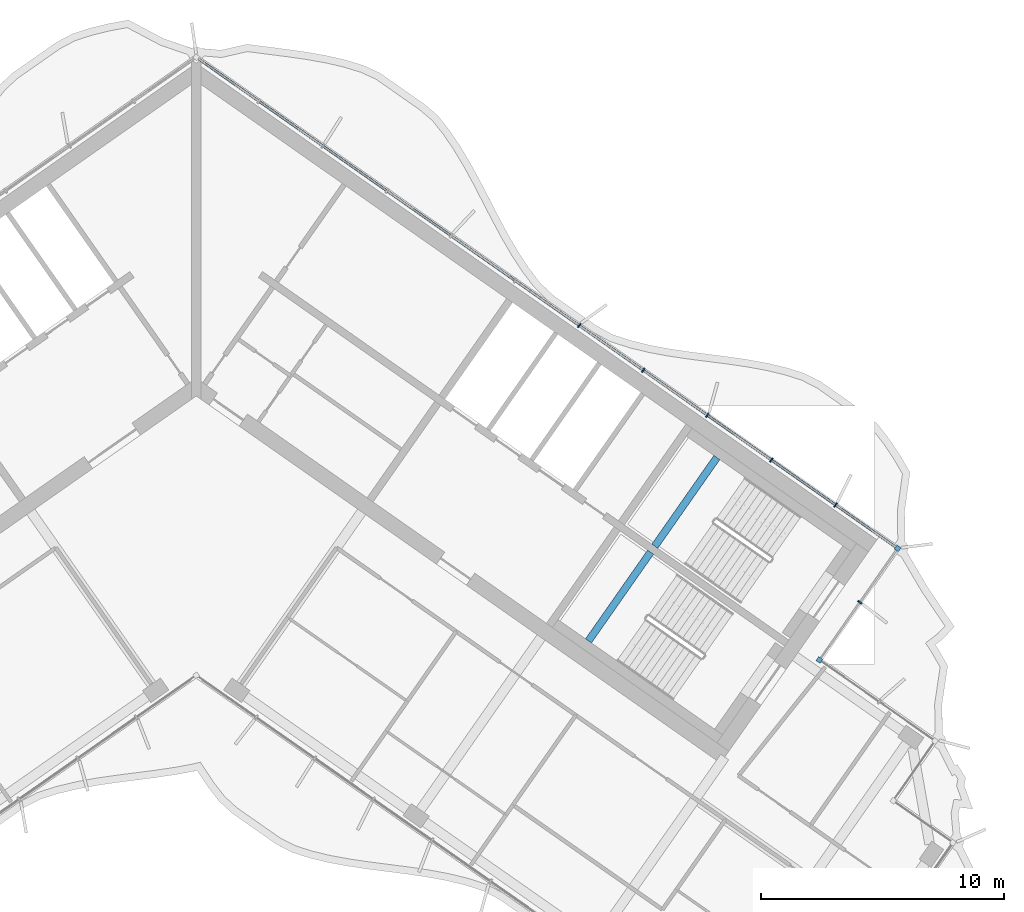
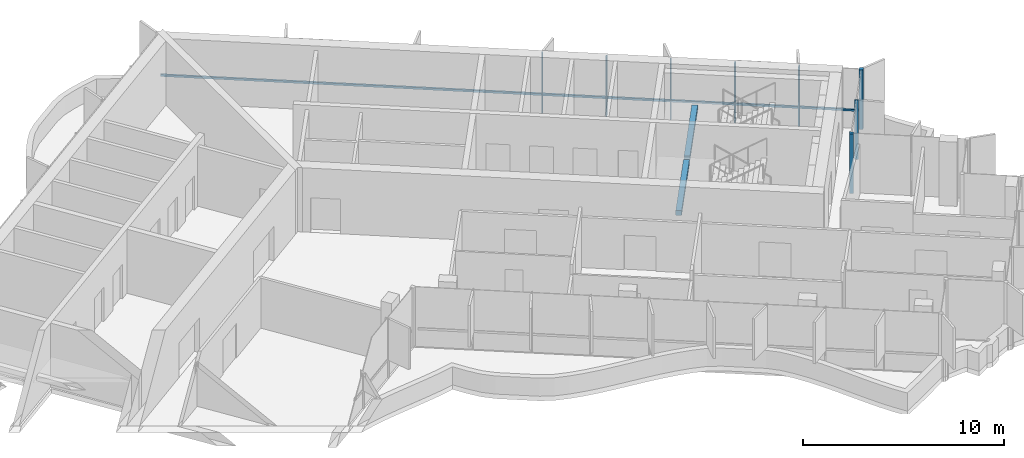
# One storey, part 5 of 18: 9 members, 2 beams, 1 element without a shape of its own.
"""IFC4 building model written with IfcOpenShell, lengths in metres."""

import ifcopenshell
import ifcopenshell.guid

model = None  # the IFC model being written
_history = None  # IfcOwnerHistory: only IFC2X3 demands one
_inside = {}  # id of a spatial element -> (the spatial element, [elements in it])
_under = {}  # id of a project, library or spatial element -> (it, [spatial elements below it])
_declared = {}  # id of a project -> (the project, [libraries it declares])
_typed = {}  # id of a type object -> (the type object, [elements of that type])
_made_of = {}  # id of a material, layer set ... -> (it, [elements and type objects made of it])


def new_model(schema):
    """Start an empty IFC model of exactly this schema.

    Asked for "IFC4X3", IfcOpenShell would pick the latest addendum, in which some entities
    have other attributes; the version numbers below select the first issue.
    IFC2X3 requires an IfcOwnerHistory on every rooted entity: one is made here for all.
    """
    global model, _history
    if schema == "IFC4X3":
        model = ifcopenshell.file(schema_version=(4, 3, 0, 0))
    else:
        model = ifcopenshell.file(schema=schema)
    _inside.clear()
    _under.clear()
    _declared.clear()
    _typed.clear()
    _made_of.clear()
    _history = None
    if model.schema == "IFC2X3":
        org = make("IfcOrganization", Name="unknown")
        user = make(
            "IfcPersonAndOrganization",
            ThePerson=make("IfcPerson", FamilyName="unknown"),
            TheOrganization=org,
        )
        app = make(
            "IfcApplication",
            ApplicationDeveloper=org,
            Version="unknown",
            ApplicationFullName="unknown",
            ApplicationIdentifier="unknown",
        )
        _history = make(
            "IfcOwnerHistory",
            OwningUser=user,
            OwningApplication=app,
            ChangeAction="ADDED",
            CreationDate=0,
        )
    return model


def make(cls, **values):
    """One entity of the class cls with the attributes given. An attribute that is None is left unset."""
    return model.create_entity(
        cls, **{name: value for name, value in values.items() if value is not None}
    )


def rooted(cls, **values):
    """An entity with a GlobalId (a new one), such as an element, a storey or a relation."""
    return make(cls, GlobalId=ifcopenshell.guid.new(), OwnerHistory=_history, **values)


def si_unit(unit_type, name, prefix=None):
    """IfcSIUnit, for example si_unit("LENGTHUNIT", "METRE", prefix="MILLI")."""
    return make("IfcSIUnit", UnitType=unit_type, Prefix=prefix, Name=name)


def assignment(units):
    """IfcUnitAssignment: the units of a project."""
    return None if units is None else make("IfcUnitAssignment", Units=units)


def point(xyz):
    """IfcCartesianPoint."""
    return None if xyz is None else make("IfcCartesianPoint", Coordinates=xyz)


def direction(xyz):
    """IfcDirection."""
    return None if xyz is None else make("IfcDirection", DirectionRatios=xyz)


def frame(location, z_axis=None, x_axis=None):
    """IfcAxis2Placement3D, a coordinate frame: its origin and axes. An axis left out is left unset."""
    return make(
        "IfcAxis2Placement3D",
        Location=point(location),
        Axis=direction(z_axis),
        RefDirection=direction(x_axis),
    )


def frame_2d(location, x_axis=None):
    """IfcAxis2Placement2D, a coordinate frame in the plane: its origin and x axis."""
    return make(
        "IfcAxis2Placement2D", Location=point(location), RefDirection=direction(x_axis)
    )


def origin():
    """The frame at (0, 0, 0) with its axes left unset."""
    return frame((0.0, 0.0, 0.0))


def origin_2d():
    """The frame at (0, 0) in the plane with its x axis left unset."""
    return frame_2d((0.0, 0.0))


def place(relative_to, where):
    """IfcLocalPlacement: puts the frame where relative to a parent placement (None: the world)."""
    return make(
        "IfcLocalPlacement", PlacementRelTo=relative_to, RelativePlacement=where
    )


def context(
    kind, dimensions, precision=None, world=None, true_north=None, identifier=None
):
    """IfcGeometricRepresentationContext, for example the 3D "Model" context."""
    return make(
        "IfcGeometricRepresentationContext",
        ContextIdentifier=identifier,
        ContextType=kind,
        CoordinateSpaceDimension=dimensions,
        Precision=precision,
        WorldCoordinateSystem=world,
        TrueNorth=true_north,
    )


def subcontext(parent, identifier, kind, view, scale=None):
    """IfcGeometricRepresentationSubContext, for example "Body" below "Model"."""
    return make(
        "IfcGeometricRepresentationSubContext",
        ContextIdentifier=identifier,
        ContextType=kind,
        ParentContext=parent,
        TargetScale=scale,
        TargetView=view,
    )


def project(units=None, contexts=None):
    """IfcProject with its units and contexts."""
    return rooted(
        "IfcProject",
        Name="project",
        RepresentationContexts=contexts,
        UnitsInContext=assignment(units),
    )


def spatial(cls, under=None, at=None, **own):
    """A site, building, storey or space (cls), placed at a placement, below another one or the project."""
    s = rooted(cls, ObjectPlacement=at, **own)
    if under is not None:
        _under.setdefault(under.id(), (under, []))[1].append(s)
    return s


def profile(cls, at=None, kind="AREA", **sizes):
    """A parametric profile (cls). Its sizes go by their IFC names, for example OverallWidth=200.0."""
    return make(cls, ProfileType=kind, Position=at, **sizes)


def rectangle(**sizes):
    """IfcRectangleProfileDef."""
    return profile("IfcRectangleProfileDef", **sizes)


def extrude(swept, where, along, depth):
    """IfcExtrudedAreaSolid: the profile swept, set in the frame where, extruded along a direction by depth."""
    return make(
        "IfcExtrudedAreaSolid",
        SweptArea=swept,
        Position=where,
        ExtrudedDirection=direction(along),
        Depth=depth,
    )


def shape(context_of_items, identifier, shape_type, items):
    """IfcShapeRepresentation: the items that make up one representation, for example the "Body"."""
    return make(
        "IfcShapeRepresentation",
        ContextOfItems=context_of_items,
        RepresentationIdentifier=identifier,
        RepresentationType=shape_type,
        Items=items,
    )


def material(Name=None, Category=None):
    """IfcMaterial."""
    return make("IfcMaterial", Name=Name, Category=Category)


def material_profile(
    of_material, cross_section, Name=None, Category=None, Priority=None
):
    """IfcMaterialProfile: a cross section and its material."""
    return make(
        "IfcMaterialProfile",
        Name=Name,
        Material=of_material,
        Profile=cross_section,
        Priority=Priority,
        Category=Category,
    )


def profile_set(profiles, Name=None, composite=None):
    """IfcMaterialProfileSet."""
    return make(
        "IfcMaterialProfileSet",
        Name=Name,
        MaterialProfiles=profiles,
        CompositeProfile=composite,
    )


def made_of(thing, what):
    """Note that an element or type object is made of a material, layer set ...; save() writes the relation."""
    if what is not None:
        _made_of.setdefault(what.id(), (what, []))[1].append(thing)
    return thing


def type_object(cls, material=None, **own):
    """A type object (cls), such as IfcWallType, which elements share."""
    return made_of(rooted(cls, **own), material)


def element(
    cls,
    number,
    at=None,
    inside=None,
    cuts=None,
    type_object=None,
    material=None,
    context=None,
    identifier="Body",
    shape_type=None,
    held_by="IfcProductDefinitionShape",
    body=None,
    shapes=None,
    **own,
):
    """One element of the class cls, such as IfcWall. Its Tag is "e" and its number.

    at: its placement. inside: the storey or other place that contains it. cuts: it is an
    opening in that element (IfcRelVoidsElement). A single representation is given by context,
    identifier, shape_type and body (its items); several are given by shapes. held_by: the class
    of the entity that holds the representations. save() writes the other relations.
    """
    e = rooted(cls, Tag="e%d" % number, ObjectPlacement=at, **own)
    if body is not None:
        shapes = [shape(context, identifier, shape_type, body)]
    if shapes is not None:
        e.Representation = make(held_by, Representations=shapes)
    if inside is not None:
        _inside.setdefault(inside.id(), (inside, []))[1].append(e)
    if cuts is not None:
        rooted(
            "IfcRelVoidsElement", RelatingBuildingElement=cuts, RelatedOpeningElement=e
        )
    if type_object is not None:
        _typed.setdefault(type_object.id(), (type_object, []))[1].append(e)
    return made_of(e, material)


def aggregate(whole, parts):
    """IfcRelAggregates: a whole, such as a stair, and the parts it consists of."""
    return rooted("IfcRelAggregates", RelatingObject=whole, RelatedObjects=parts)


def save(model, path):
    """Write the relations noted so far, then the file.

    IfcRelAggregates (storeys below a building ...), IfcRelContainedInSpatialStructure (elements
    in a storey), IfcRelDefinesByType, IfcRelAssociatesMaterial and IfcRelDeclares: one each for
    every whole, place, type object, material and project.
    """
    for whole, parts in _under.values():
        aggregate(whole, parts)
    for where, things in _inside.values():
        rooted(
            "IfcRelContainedInSpatialStructure",
            RelatedElements=things,
            RelatingStructure=where,
        )
    for kind, things in _typed.values():
        rooted("IfcRelDefinesByType", RelatedObjects=things, RelatingType=kind)
    for what, things in _made_of.values():
        rooted("IfcRelAssociatesMaterial", RelatedObjects=things, RelatingMaterial=what)
    for by, libraries in _declared.values():
        rooted("IfcRelDeclares", RelatingContext=by, RelatedDefinitions=libraries)
    model.write(path)


model = new_model("IFC4")

# Units and contexts
model_context = context("Model", 3, precision=1e-05, world=origin(), true_north=direction((0.0, 1.0)))
body_context = subcontext(model_context, "Body", "Model", "MODEL_VIEW")
ifc_project = project(units=[si_unit("LENGTHUNIT", "METRE"), si_unit("AREAUNIT", "SQUARE_METRE"), si_unit("VOLUMEUNIT", "CUBIC_METRE"), si_unit("PLANEANGLEUNIT", "RADIAN"), si_unit("MASSUNIT", "GRAM", prefix="KILO")], contexts=[model_context])

# Site, building, storey
site_placement = place(None, origin())
site = spatial("IfcSite", under=ifc_project, at=site_placement, CompositionType="ELEMENT")
building_placement = place(site_placement, origin())
building = spatial("IfcBuilding", under=site, at=building_placement, Name="Tel Ilan Convention Tower", CompositionType="ELEMENT")
storey_placement = place(building_placement, frame((0.0, 0.0, 256.60009765625)))
storey = spatial("IfcBuildingStorey", under=building, at=storey_placement, Name="L60", CompositionType="ELEMENT", Elevation=256.60009765625)

# Curtain wall, members
ifc_material_1 = material(Name="Aluminium, bronze anodised", Category="aluminium")
curtain_wall_type = type_object("IfcCurtainWallType", Name="CW2 STICK CURTAIN WALL, SPANDREL PANELS", PredefinedType="NOTDEFINED", material=ifc_material_1)
curtain_wall_placement = place(storey_placement, origin())
curtain_wall = element("IfcCurtainWall", 1, at=curtain_wall_placement, inside=storey, type_object=curtain_wall_type, Name="Curtain wall CW2-46.01", PredefinedType="NOTDEFINED")
ifc_material_2 = material(Name="Aluminium, bronze anodised", Category="aluminium")
ifc_material_profile_1 = material_profile(ifc_material_2, rectangle(XDim=0.199951171875, YDim=0.199951171875, at=origin_2d()), Name="CW CORNER MULLION 200x200")
ifc_profile_set_1 = profile_set([ifc_material_profile_1], Name="Aluminium, bronze anodised")
member_type_1 = type_object("IfcMemberType", Name="CW CORNER MULLION 200x200", PredefinedType="MULLION", material=ifc_profile_set_1)
member_1_placement = place(storey_placement, frame((25.607421875, -12.07080078125, 0.0), z_axis=(0.0, 0.0, 1.0), x_axis=(-0.819152044289, 0.573576436351, 0.0)))
member_1 = element("IfcMember", 2, at=member_1_placement, type_object=member_type_1, Name="Corner mullion", PredefinedType="MULLION", context=body_context, shape_type="SweptSolid", body=[
    extrude(rectangle(XDim=0.199951171875, YDim=0.199951171875, at=origin_2d()), origin(), (0.0, 0.0, 1.0), 3.619873046875),
])
member_2_placement = place(storey_placement, frame((28.819580078125, -7.483642578125, 0.0), z_axis=(0.0, 0.0, 1.0), x_axis=(0.573576436351, 0.819152044289, 0.0)))
member_2 = element("IfcMember", 3, at=member_2_placement, type_object=member_type_1, Name="Corner mullion", PredefinedType="MULLION", context=body_context, shape_type="SweptSolid", body=[
    extrude(rectangle(XDim=0.199951171875, YDim=0.199951171875, at=origin_2d()), origin(), (0.0, 0.0, 1.0), 3.619873046875),
])
ifc_material_3 = material(Name="Aluminium, bronze anodised", Category="aluminium")
ifc_material_profile_2 = material_profile(ifc_material_3, rectangle(XDim=0.06005859375, YDim=0.199951171875, at=origin_2d()), Name="CW MULLION 60x200")
ifc_profile_set_2 = profile_set([ifc_material_profile_2], Name="Aluminium, bronze anodised")
member_type_2 = type_object("IfcMemberType", Name="CW MULLION 60x200", PredefinedType="MULLION", material=ifc_profile_set_2)
member_3_placement = place(storey_placement, frame((27.27099609375, -9.6953125, 0.0), z_axis=(0.0, 0.0, 1.0), x_axis=(0.573576436351, 0.819152044289, 0.0)))
member_3 = element("IfcMember", 4, at=member_3_placement, type_object=member_type_2, Name="Mullion", PredefinedType="MULLION", context=body_context, shape_type="SweptSolid", body=[
    extrude(rectangle(XDim=0.06005859375, YDim=0.199951171875, at=origin_2d()), origin(), (0.0, 0.0, 1.0), 3.619873046875),
])
member_4_placement = place(storey_placement, frame((26.268798828125, -5.697509765625, 0.0), z_axis=(0.0, 0.0, 1.0), x_axis=(-0.819152044289, 0.573576436351, 0.0)))
member_4 = element("IfcMember", 5, at=member_4_placement, type_object=member_type_2, Name="Mullion", PredefinedType="MULLION", context=body_context, shape_type="SweptSolid", body=[
    extrude(rectangle(XDim=0.06005859375, YDim=0.199951171875, at=origin_2d()), origin(), (0.0, 0.0, 1.0), 3.619873046875),
])
member_5_placement = place(storey_placement, frame((23.63623046875, -3.854248046875, 0.0), z_axis=(0.0, 0.0, 1.0), x_axis=(-0.819152044289, 0.573576436351, 0.0)))
member_5 = element("IfcMember", 6, at=member_5_placement, type_object=member_type_2, Name="Mullion", PredefinedType="MULLION", context=body_context, shape_type="SweptSolid", body=[
    extrude(rectangle(XDim=0.06005859375, YDim=0.199951171875, at=origin_2d()), origin(), (0.0, 0.0, 1.0), 3.619873046875),
])
member_6_placement = place(storey_placement, frame((21.003662109375, -2.0107421875, 0.0), z_axis=(0.0, 0.0, 1.0), x_axis=(-0.819152044289, 0.573576436351, 0.0)))
member_6 = element("IfcMember", 7, at=member_6_placement, type_object=member_type_2, Name="Mullion", PredefinedType="MULLION", context=body_context, shape_type="SweptSolid", body=[
    extrude(rectangle(XDim=0.06005859375, YDim=0.199951171875, at=origin_2d()), origin(), (0.0, 0.0, 1.0), 3.619873046875),
])
member_7_placement = place(storey_placement, frame((18.37109375, -0.16748046875, 0.0), z_axis=(0.0, 0.0, 1.0), x_axis=(-0.819152044289, 0.573576436351, 0.0)))
member_7 = element("IfcMember", 8, at=member_7_placement, type_object=member_type_2, Name="Mullion", PredefinedType="MULLION", context=body_context, shape_type="SweptSolid", body=[
    extrude(rectangle(XDim=0.06005859375, YDim=0.199951171875, at=origin_2d()), origin(), (0.0, 0.0, 1.0), 3.619873046875),
])
member_8_placement = place(storey_placement, frame((15.73828125, 1.676025390625, 0.0), z_axis=(0.0, 0.0, 1.0), x_axis=(-0.819152044289, 0.573576436351, 0.0)))
member_8 = element("IfcMember", 9, at=member_8_placement, type_object=member_type_2, Name="Mullion", PredefinedType="MULLION", context=body_context, shape_type="SweptSolid", body=[
    extrude(rectangle(XDim=0.06005859375, YDim=0.199951171875, at=origin_2d()), origin(), (0.0, 0.0, 1.0), 3.619873046875),
])
ifc_material_4 = material(Name="Aluminium, bronze anodised", Category="aluminium")
ifc_material_profile_3 = material_profile(ifc_material_4, rectangle(XDim=0.10009765625, YDim=0.1201171875, at=origin_2d()), Name="CW TRANSOM 100x120")
ifc_profile_set_3 = profile_set([ifc_material_profile_3], Name="Aluminium, bronze anodised")
member_type_3 = type_object("IfcMemberType", Name="CW TRANSOM 100x120", PredefinedType="USERDEFINED", material=ifc_profile_set_3)
member_9_placement = place(storey_placement, frame((28.737548828125, -7.42626953125, 1.099853515625), z_axis=(-0.819150201937, 0.573579067494, 0.0), x_axis=(-0.573579067494, -0.819150201937, 0.0)))
member_9 = element("IfcMember", 10, at=member_9_placement, type_object=member_type_3, Name="Transom", ObjectType="TRANSOM", PredefinedType="USERDEFINED", context=body_context, shape_type="SweptSolid", body=[
    extrude(rectangle(XDim=0.10009765625, YDim=0.1201171875, at=origin_2d()), origin(), (0.0, 0.0, 1.0), 34.9521484375),
])
aggregate(curtain_wall, [member_1, member_3, member_2, member_4, member_5, member_6, member_7, member_8, member_9])

# Beams
ifc_material_5 = material(Name="Concrete C40/50", Category="concrete")
ifc_material_profile_4 = material_profile(ifc_material_5, rectangle(XDim=0.300048828125, YDim=0.300048828125, at=origin_2d()), Name="RC 300x300")
ifc_profile_set_4 = profile_set([ifc_material_profile_4], Name="Concrete C40/50")
beam_type = type_object("IfcBeamType", Name="Landing Beam RC 300x300 Concrete C40/50", PredefinedType="BEAM", material=ifc_profile_set_4)
beam_1_placement = place(storey_placement, frame((21.39404296875, -3.7490234375, 1.599853515625), z_axis=(-0.573547030514, -0.819172633691, 0.0), x_axis=(0.819172633691, -0.573547030514, 0.0)))
element("IfcBeam", 11, at=beam_1_placement, inside=storey, type_object=beam_type, Name="S3 landing beam L60.1", PredefinedType="BEAM", context=body_context, shape_type="SweptSolid", body=[
    extrude(rectangle(XDim=0.300048828125, YDim=0.300048828125, at=origin_2d()), origin(), (0.0, 0.0, 1.0), 4.449951171875),
])
beam_2_placement = place(storey_placement, frame((18.669677734375, -7.64013671875, 1.599853515625), z_axis=(-0.573583844845, -0.819146856756, 0.0), x_axis=(0.819146856756, -0.573583844845, 0.0)))
element("IfcBeam", 12, at=beam_2_placement, inside=storey, type_object=beam_type, Name="S4 landing beam L60.1", PredefinedType="BEAM", context=body_context, shape_type="SweptSolid", body=[
    extrude(rectangle(XDim=0.300048828125, YDim=0.300048828125, at=origin_2d()), origin(), (0.0, 0.0, 1.0), 4.4501953125),
])

save(model, "model.ifc")
